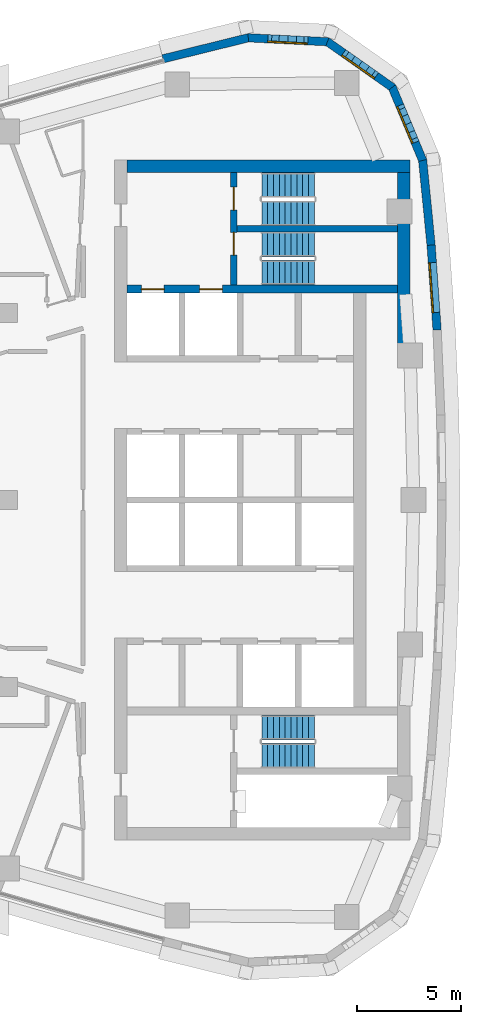
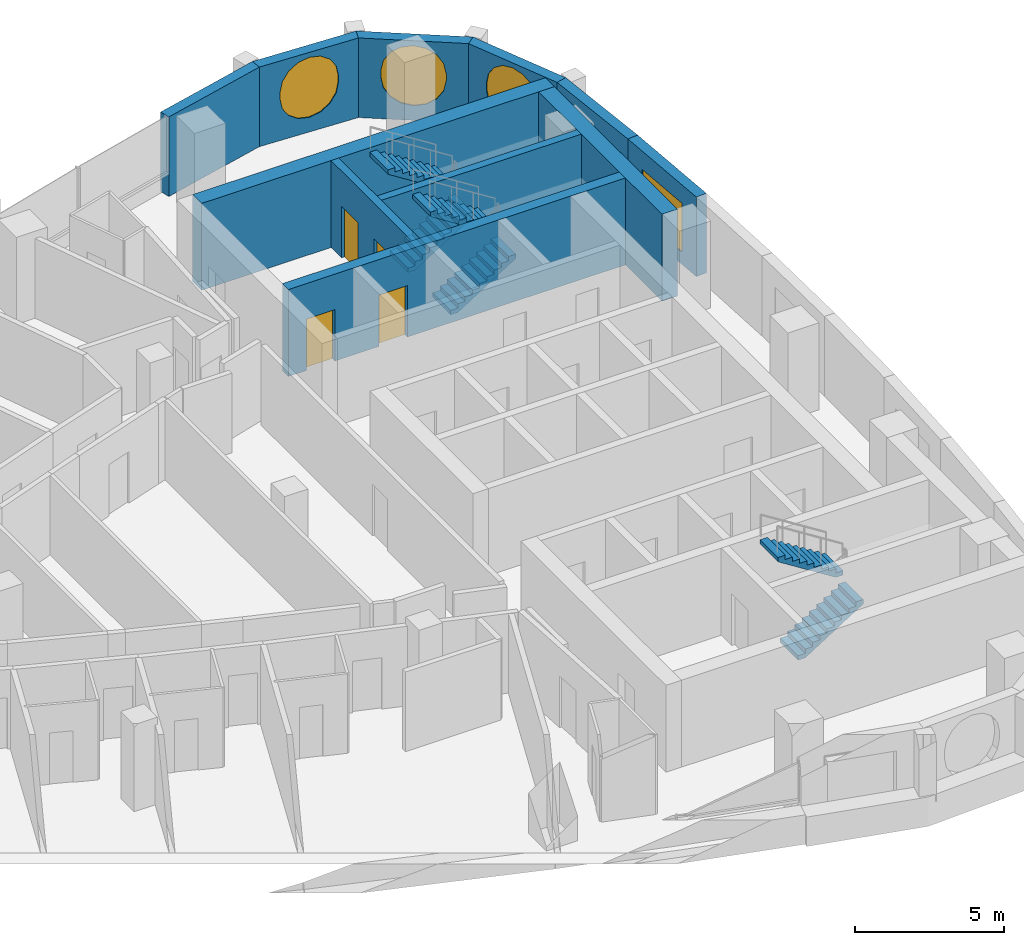
# One storey, part 12 of 16: 11 walls, 6 stair flights, 4 doors, 4 windows, 8 openings, 3 elements without a shape of their own.
"""IFC4 building model written with IfcOpenShell, lengths in metres."""

from ifc_helpers import new_model, si_unit, direction, frame, frame_2d, origin, place, context, subcontext, project, spatial, polyline, rectangle, outline, extrude, material, layer, layer_set, type_object, element, fill, aggregate, save


model = new_model("IFC4")

# Units and contexts
model_context = context("Model", 3, precision=1e-05, world=origin(), true_north=direction((0.0, 1.0)))
body_context = subcontext(model_context, "Body", "Model", "MODEL_VIEW")
ifc_project = project(units=[si_unit("LENGTHUNIT", "METRE"), si_unit("AREAUNIT", "SQUARE_METRE"), si_unit("VOLUMEUNIT", "CUBIC_METRE"), si_unit("PLANEANGLEUNIT", "RADIAN"), si_unit("MASSUNIT", "GRAM", prefix="KILO")], contexts=[model_context])

# Site, building, storey
site_placement = place(None, origin())
site = spatial("IfcSite", under=ifc_project, at=site_placement, CompositionType="ELEMENT")
building_placement = place(site_placement, origin())
building = spatial("IfcBuilding", under=site, at=building_placement, Name="Ostrand Prow Hotel Tower", CompositionType="ELEMENT")
storey_placement = place(building_placement, frame((0.0, 0.0, 245.64990234375)))
storey = spatial("IfcBuildingStorey", under=building, at=storey_placement, Name="L62", CompositionType="ELEMENT", Elevation=245.64990234375)

# Wall, openings, doors
ifc_material_1 = material(Name="Concrete C50/60", Category="concrete")
ifc_layer_1 = layer(ifc_material_1, 0.300048828125)
ifc_layer_set_1 = layer_set([ifc_layer_1], Name="Concrete C50/60")
wall_type_1 = type_object("IfcWallType", Name="Core wall 300 C50/60", PredefinedType="SHEAR", material=ifc_layer_set_1)
wall_1_placement = place(storey_placement, frame((55.85009765625, 10.35009765625, 0.0), z_axis=(0.0, 0.0, 1.0), x_axis=(0.0, 1.0, 0.0)))
wall_1 = element("IfcWall", 1, at=wall_1_placement, inside=storey, type_object=wall_type_1, Name="Core wall PW-VN", PredefinedType="SHEAR", context=body_context, shape_type="SweptSolid", body=[
    extrude(rectangle(XDim=5.39990234375, YDim=0.300048828125, at=frame_2d((2.699951171875, 0.0))), origin(), (0.0, 0.0, 1.0), 3.550048828125),
])
opening_1_placement = place(wall_1_placement, frame((1.429931640625, 0.0, 0.0)))
opening_1 = element("IfcOpeningElement", 2, at=opening_1_placement, cuts=wall_1, Name="Opening FD1", PredefinedType="OPENING", context=body_context, shape_type="SweptSolid", body=[
    extrude(rectangle(XDim=1.10009765625, YDim=2.10009765625, at=frame_2d((0.550048828125, 1.050048828125))), frame((0.0, 0.159912109375, 0.0), z_axis=(0.0, -1.0, 0.0), x_axis=(1.0, 0.0, 0.0)), (0.0, 0.0, 1.0), 0.320068359375),
])
opening_2_placement = place(wall_1_placement, frame((3.60009765625, 0.0, 0.0)))
opening_2 = element("IfcOpeningElement", 3, at=opening_2_placement, cuts=wall_1, Name="Opening FD1", PredefinedType="OPENING", context=body_context, shape_type="SweptSolid", body=[
    extrude(rectangle(XDim=1.10009765625, YDim=2.10009765625, at=frame_2d((0.550048828125, 1.050048828125))), frame((0.0, 0.159912109375, 0.0), z_axis=(0.0, -1.0, 0.0), x_axis=(1.0, 0.0, 0.0)), (0.0, 0.0, 1.0), 0.320068359375),
])
ifc_material_2 = material(Name="Steel fire door", Category="steel")
door_type_1 = type_object("IfcDoorType", Name="Fire door 1100 EI120", OperationType="SINGLE_SWING_RIGHT", PredefinedType="DOOR", material=ifc_material_2)
door_1_placement = place(opening_1_placement, origin())
door_1 = element("IfcDoor", 4, at=door_1_placement, inside=storey, type_object=door_type_1, Name="FIRE DOOR", OperationType="SINGLE_SWING_RIGHT", OverallHeight=2.10009765625, OverallWidth=1.10009765625, PredefinedType="DOOR", context=body_context, shape_type="SweptSolid", body=[
    extrude(rectangle(XDim=1.10009765625, YDim=2.10009765625, at=frame_2d((0.550048828125, 1.050048828125))), frame((0.0, 0.02490234375, 0.0), z_axis=(0.0, -1.0, 0.0), x_axis=(1.0, 0.0, 0.0)), (0.0, 0.0, 1.0), 0.050048828125),
])
fill(opening_1, door_1)
door_2_placement = place(opening_2_placement, origin())
door_2 = element("IfcDoor", 5, at=door_2_placement, inside=storey, type_object=door_type_1, Name="FIRE DOOR", OperationType="SINGLE_SWING_RIGHT", OverallHeight=2.10009765625, OverallWidth=1.10009765625, PredefinedType="DOOR", context=body_context, shape_type="SweptSolid", body=[
    extrude(rectangle(XDim=1.10009765625, YDim=2.10009765625, at=frame_2d((0.550048828125, 1.050048828125))), frame((0.0, 0.02490234375, 0.0), z_axis=(0.0, -1.0, 0.0), x_axis=(1.0, 0.0, 0.0)), (0.0, 0.0, 1.0), 0.050048828125),
])
fill(opening_2, door_2)

# Wall
wall_2_placement = place(storey_placement, frame((56.0, 13.050048828125, 0.0), z_axis=(0.0, 0.0, 1.0), x_axis=(1.0, 0.0, 0.0)))
element("IfcWall", 6, at=wall_2_placement, inside=storey, type_object=wall_type_1, Name="Core wall PW-ST13", PredefinedType="SHEAR", context=body_context, shape_type="SweptSolid", body=[
    extrude(rectangle(XDim=7.719970703125, YDim=0.300048828125, at=frame_2d((3.85986328125, 0.0))), origin(), (0.0, 0.0, 1.0), 3.550048828125),
])

# Wall, openings, doors
ifc_material_3 = material(Name="Concrete C50/60", Category="concrete")
ifc_layer_2 = layer(ifc_material_3, 0.39990234375)
ifc_layer_set_2 = layer_set([ifc_layer_2], Name="Concrete C50/60")
wall_type_2 = type_object("IfcWallType", Name="Core wall 400 C50/60", PredefinedType="SHEAR", material=ifc_layer_set_2)
wall_3_placement = place(storey_placement, frame((50.699951171875, 10.14990234375, 0.0), z_axis=(0.0, 0.0, 1.0), x_axis=(1.0, 0.0, 0.0)))
wall_3 = element("IfcWall", 7, at=wall_3_placement, inside=storey, type_object=wall_type_2, Name="Core wall PW-BN", PredefinedType="SHEAR", context=body_context, shape_type="SweptSolid", body=[
    extrude(rectangle(XDim=13.02001953125, YDim=0.39990234375, at=frame_2d((6.510009765625, 0.0))), origin(), (0.0, 0.0, 1.0), 3.550048828125),
])
opening_3_placement = place(wall_3_placement, frame((0.699951171875, 0.0, 0.0)))
opening_3 = element("IfcOpeningElement", 8, at=opening_3_placement, cuts=wall_3, Name="Opening LD", PredefinedType="OPENING", context=body_context, shape_type="SweptSolid", body=[
    extrude(rectangle(XDim=1.10009765625, YDim=2.10009765625, at=frame_2d((0.550048828125, 1.050048828125))), frame((0.0, 0.2099609375, 0.0), z_axis=(0.0, -1.0, 0.0), x_axis=(1.0, 0.0, 0.0)), (0.0, 0.0, 1.0), 0.419921875),
])
opening_4_placement = place(wall_3_placement, frame((3.5, 0.0, 0.0)))
opening_4 = element("IfcOpeningElement", 9, at=opening_4_placement, cuts=wall_3, Name="Opening LD", PredefinedType="OPENING", context=body_context, shape_type="SweptSolid", body=[
    extrude(rectangle(XDim=1.10009765625, YDim=2.10009765625, at=frame_2d((0.550048828125, 1.050048828125))), frame((0.0, 0.2099609375, 0.0), z_axis=(0.0, -1.0, 0.0), x_axis=(1.0, 0.0, 0.0)), (0.0, 0.0, 1.0), 0.419921875),
])
ifc_material_4 = material(Name="Stainless steel door", Category="steel")
door_type_2 = type_object("IfcDoorType", Name="Lift landing door 1100", OperationType="DOUBLE_DOOR_SLIDING", PredefinedType="DOOR", material=ifc_material_4)
door_3_placement = place(opening_3_placement, origin())
door_3 = element("IfcDoor", 10, at=door_3_placement, inside=storey, type_object=door_type_2, Name="LIFT LANDING DOOR", OperationType="DOUBLE_DOOR_SLIDING", OverallHeight=2.10009765625, OverallWidth=1.10009765625, PredefinedType="DOOR", context=body_context, shape_type="SweptSolid", body=[
    extrude(rectangle(XDim=1.10009765625, YDim=2.10009765625, at=frame_2d((0.550048828125, 1.050048828125))), frame((0.0, 0.02490234375, 0.0), z_axis=(0.0, -1.0, 0.0), x_axis=(1.0, 0.0, 0.0)), (0.0, 0.0, 1.0), 0.050048828125),
])
fill(opening_3, door_3)
door_4_placement = place(opening_4_placement, origin())
door_4 = element("IfcDoor", 11, at=door_4_placement, inside=storey, type_object=door_type_2, Name="LIFT LANDING DOOR", OperationType="DOUBLE_DOOR_SLIDING", OverallHeight=2.10009765625, OverallWidth=1.10009765625, PredefinedType="DOOR", context=body_context, shape_type="SweptSolid", body=[
    extrude(rectangle(XDim=1.10009765625, YDim=2.10009765625, at=frame_2d((0.550048828125, 1.050048828125))), frame((0.0, 0.02490234375, 0.0), z_axis=(0.0, -1.0, 0.0), x_axis=(1.0, 0.0, 0.0)), (0.0, 0.0, 1.0), 0.050048828125),
])
fill(opening_4, door_4)

# Walls
ifc_material_5 = material(Name="Concrete C50/60", Category="concrete")
ifc_layer_3 = layer(ifc_material_5, 0.60009765625)
ifc_layer_set_3 = layer_set([ifc_layer_3], Name="Concrete C50/60")
wall_type_3 = type_object("IfcWallType", Name="Core wall 600 C50/60", PredefinedType="SHEAR", material=ifc_layer_set_3)
wall_4_placement = place(storey_placement, frame((50.699951171875, 16.050048828125, 0.0), z_axis=(0.0, 0.0, 1.0), x_axis=(1.0, 0.0, 0.0)))
element("IfcWall", 12, at=wall_4_placement, inside=storey, type_object=wall_type_3, Name="Core wall CW-N", PredefinedType="SHEAR", context=body_context, shape_type="SweptSolid", body=[
    extrude(rectangle(XDim=13.6201171875, YDim=0.60009765625, at=frame_2d((6.81005859375, 0.0))), origin(), (0.0, 0.0, 1.0), 3.550048828125),
])
wall_5_placement = place(storey_placement, frame((64.02001953125, 7.502197265625, 0.0), z_axis=(0.0, 0.0, 1.0), x_axis=(0.0, 1.0, 0.0)))
element("IfcWall", 13, at=wall_5_placement, inside=storey, type_object=wall_type_3, Name="Core wall CW-E-N", PredefinedType="SHEAR", context=body_context, shape_type="SweptSolid", body=[
    extrude(rectangle(XDim=8.247802734375, YDim=0.60009765625, at=frame_2d((4.1240234375, 0.0))), origin(), (0.0, 0.0, 1.0), 3.550048828125),
])

# Wall, opening, window
ifc_material_6 = material(Name="Precast concrete C40/50", Category="concrete")
ifc_layer_4 = layer(ifc_material_6, 0.39990234375)
ifc_layer_set_4 = layer_set([ifc_layer_4], Name="Precast concrete C40/50")
wall_type_4 = type_object("IfcWallType", Name="Stone-faced precast wall 400 mm", PredefinedType="NOTDEFINED", material=ifc_layer_set_4)
wall_6_placement = place(storey_placement, frame((65.630615234375, 8.181640625, 0.0), z_axis=(0.0, 0.0, 1.0), x_axis=(-0.070623905352, 0.997503014528, 0.0)))
wall_6 = element("IfcWall", 14, at=wall_6_placement, inside=storey, type_object=wall_type_4, Name="Stone-faced wall back 11", PredefinedType="NOTDEFINED", context=body_context, shape_type="SweptSolid", body=[
    extrude(outline(polyline([(-0.002685546875, -0.199951171875), (4.095703125, -0.199951171875), (4.09033203125, 0.199951171875), (0.002685546875, 0.199951171875), (-0.002685546875, -0.199951171875)])), origin(), (0.0, 0.0, 1.0), 3.25),
])
opening_5_placement = place(wall_6_placement, frame((0.846435546875, 0.0, 0.5)))
opening_5 = element("IfcOpeningElement", 15, at=opening_5_placement, cuts=wall_6, Name="Opening WA1", PredefinedType="OPENING", context=body_context, shape_type="SweptSolid", body=[
    extrude(rectangle(XDim=2.39990234375, YDim=2.0, at=frame_2d((1.199951171875, 1.0))), frame((0.0, 0.2099609375, 0.0), z_axis=(0.0, -1.0, 0.0), x_axis=(1.0, 0.0, 0.0)), (0.0, 0.0, 1.0), 0.419921875),
])
ifc_material_7 = material(Name="Insulated glass in bronze frame", Category="glass")
window_type_1 = type_object("IfcWindowType", Name="Amenity picture window 2400x2000", PartitioningType="SINGLE_PANEL", PredefinedType="WINDOW", material=ifc_material_7)
window_1_placement = place(opening_5_placement, origin())
window_1 = element("IfcWindow", 16, at=window_1_placement, inside=storey, type_object=window_type_1, Name="Window back 11.1", OverallHeight=2.0, OverallWidth=2.39990234375, PartitioningType="SINGLE_PANEL", PredefinedType="WINDOW", context=body_context, shape_type="SweptSolid", body=[
    extrude(rectangle(XDim=2.39990234375, YDim=2.0, at=frame_2d((1.199951171875, 1.0))), frame((0.0, 0.169921875, 0.0), z_axis=(0.0, -1.0, 0.0), x_axis=(1.0, 0.0, 0.0)), (0.0, 0.0, 1.0), 0.06005859375),
])
fill(opening_5, window_1)

# Wall
wall_7_placement = place(storey_placement, frame((65.341552734375, 12.264404296875, 0.0), z_axis=(0.0, 0.0, 1.0), x_axis=(-0.098718218066, 0.995115427185, 0.0)))
element("IfcWall", 17, at=wall_7_placement, inside=storey, type_object=wall_type_4, Name="Stone-faced wall back 12", PredefinedType="NOTDEFINED", context=body_context, shape_type="SweptSolid", body=[
    extrude(outline(polyline([(-0.002685546875, -0.199951171875), (4.122802734375, -0.199951171875), (4.063232421875, 0.199951171875), (0.002685546875, 0.199951171875), (-0.002685546875, -0.199951171875)])), origin(), (0.0, 0.0, 1.0), 3.25),
])

# Wall, opening, window
wall_8_placement = place(storey_placement, frame((64.9375, 16.33740234375, 0.0), z_axis=(0.0, 0.0, 1.0), x_axis=(-0.3844335483, 0.923152667191, 0.0)))
wall_8 = element("IfcWall", 18, at=wall_8_placement, inside=storey, type_object=wall_type_4, Name="Stone-faced wall back 13", PredefinedType="NOTDEFINED", context=body_context, shape_type="SweptSolid", body=[
    extrude(outline(polyline([(-0.02978515625, -0.199951171875), (3.871337890625, -0.199951171875), (3.755615234375, 0.199951171875), (0.02978515625, 0.199951171875), (-0.02978515625, -0.199951171875)])), origin(), (0.0, 0.0, 1.0), 3.25),
])
opening_6_placement = place(wall_8_placement, frame((0.806884765625, 0.0, 0.60009765625)))
opening_6 = element("IfcOpeningElement", 19, at=opening_6_placement, cuts=wall_8, Name="Opening WP2", PredefinedType="OPENING", context=body_context, shape_type="SweptSolid", body=[
    extrude(outline(polyline([(0.0, 1.35009765625), (0.083740234375, 1.77099609375), (0.322265625, 2.127685546875), (0.678955078125, 2.3662109375), (1.10009765625, 2.449951171875), (1.52099609375, 2.3662109375), (1.877685546875, 2.127685546875), (2.1162109375, 1.77099609375), (2.199951171875, 1.35009765625), (2.199951171875, 1.10009765625), (2.1162109375, 0.678955078125), (1.877685546875, 0.322265625), (1.52099609375, 0.083740234375), (1.10009765625, 0.0), (0.678955078125, 0.083740234375), (0.322265625, 0.322265625), (0.083740234375, 0.678955078125), (0.0, 1.099853515625), (0.0, 1.35009765625)])), frame((0.0, 0.2099609375, 0.0), z_axis=(0.0, -1.0, 0.0), x_axis=(1.0, 0.0, 0.0)), (0.0, 0.0, 1.0), 0.419921875),
])
ifc_material_8 = material(Name="Insulated glass in bronze frame", Category="glass")
window_type_2 = type_object("IfcWindowType", Name="Round-ended prow lounge window 2200x2450", PartitioningType="SINGLE_PANEL", PredefinedType="WINDOW", material=ifc_material_8)
window_2_placement = place(opening_6_placement, origin())
window_2 = element("IfcWindow", 20, at=window_2_placement, inside=storey, type_object=window_type_2, Name="Window back 13.1", OverallHeight=2.449951171875, OverallWidth=2.199951171875, PartitioningType="SINGLE_PANEL", PredefinedType="WINDOW", context=body_context, shape_type="SweptSolid", body=[
    extrude(outline(polyline([(0.0, 1.35009765625), (0.083740234375, 1.77099609375), (0.322265625, 2.127685546875), (0.678955078125, 2.3662109375), (1.10009765625, 2.449951171875), (1.52099609375, 2.3662109375), (1.877685546875, 2.127685546875), (2.1162109375, 1.77099609375), (2.199951171875, 1.35009765625), (2.199951171875, 1.10009765625), (2.1162109375, 0.678955078125), (1.877685546875, 0.322265625), (1.52099609375, 0.083740234375), (1.10009765625, 0.0), (0.678955078125, 0.083740234375), (0.322265625, 0.322265625), (0.083740234375, 0.678955078125), (0.0, 1.099853515625), (0.0, 1.35009765625)])), frame((0.0, 0.169921875, 0.0), z_axis=(0.0, -1.0, 0.0), x_axis=(1.0, 0.0, 0.0)), (0.0, 0.0, 1.0), 0.06005859375),
])
fill(opening_6, window_2)

wall_9_placement = place(storey_placement, frame((63.471435546875, 19.85791015625, 0.0), z_axis=(0.0, 0.0, 1.0), x_axis=(-0.817942545532, 0.575299915009, 0.0)))
wall_9 = element("IfcWall", 21, at=wall_9_placement, inside=storey, type_object=wall_type_4, Name="Stone-faced wall back 14", PredefinedType="NOTDEFINED", context=body_context, shape_type="SweptSolid", body=[
    extrude(outline(polyline([(-0.057861328125, -0.199951171875), (3.871337890625, -0.199951171875), (3.755615234375, 0.199951171875), (0.057861328125, 0.199951171875), (-0.057861328125, -0.199951171875)])), origin(), (0.0, 0.0, 1.0), 3.25),
])
opening_7_placement = place(wall_9_placement, frame((0.806884765625, 0.0, 0.60009765625)))
opening_7 = element("IfcOpeningElement", 22, at=opening_7_placement, cuts=wall_9, Name="Opening WP2", PredefinedType="OPENING", context=body_context, shape_type="SweptSolid", body=[
    extrude(outline(polyline([(0.0, 1.35009765625), (0.083740234375, 1.77099609375), (0.322265625, 2.127685546875), (0.678955078125, 2.3662109375), (1.10009765625, 2.449951171875), (1.52099609375, 2.3662109375), (1.877685546875, 2.127685546875), (2.1162109375, 1.77099609375), (2.199951171875, 1.35009765625), (2.199951171875, 1.10009765625), (2.1162109375, 0.678955078125), (1.877685546875, 0.322265625), (1.52099609375, 0.083740234375), (1.10009765625, 0.0), (0.678955078125, 0.083740234375), (0.322265625, 0.322265625), (0.083740234375, 0.678955078125), (0.0, 1.099853515625), (0.0, 1.35009765625)])), frame((0.0, 0.2099609375, 0.0), z_axis=(0.0, -1.0, 0.0), x_axis=(1.0, 0.0, 0.0)), (0.0, 0.0, 1.0), 0.419921875),
])
window_3_placement = place(opening_7_placement, origin())
window_3 = element("IfcWindow", 23, at=window_3_placement, inside=storey, type_object=window_type_2, Name="Window back 14.1", OverallHeight=2.449951171875, OverallWidth=2.199951171875, PartitioningType="SINGLE_PANEL", PredefinedType="WINDOW", context=body_context, shape_type="SweptSolid", body=[
    extrude(outline(polyline([(0.0, 1.35009765625), (0.083740234375, 1.77099609375), (0.322265625, 2.127685546875), (0.678955078125, 2.3662109375), (1.10009765625, 2.449951171875), (1.52099609375, 2.3662109375), (1.877685546875, 2.127685546875), (2.1162109375, 1.77099609375), (2.199951171875, 1.35009765625), (2.199951171875, 1.10009765625), (2.1162109375, 0.678955078125), (1.877685546875, 0.322265625), (1.52099609375, 0.083740234375), (1.10009765625, 0.0), (0.678955078125, 0.083740234375), (0.322265625, 0.322265625), (0.083740234375, 0.678955078125), (0.0, 1.099853515625), (0.0, 1.35009765625)])), frame((0.0, 0.169921875, 0.0), z_axis=(0.0, -1.0, 0.0), x_axis=(1.0, 0.0, 0.0)), (0.0, 0.0, 1.0), 0.06005859375),
])
fill(opening_7, window_3)

wall_10_placement = place(storey_placement, frame((60.352294921875, 22.0517578125, 0.0), z_axis=(0.0, 0.0, 1.0), x_axis=(-0.998758875872, 0.049806705046, 0.0)))
wall_10 = element("IfcWall", 24, at=wall_10_placement, inside=storey, type_object=wall_type_4, Name="Stone-faced wall back 15", PredefinedType="NOTDEFINED", context=body_context, shape_type="SweptSolid", body=[
    extrude(outline(polyline([(-0.057861328125, -0.199951171875), (3.8427734375, -0.199951171875), (3.7841796875, 0.199951171875), (0.057861328125, 0.199951171875), (-0.057861328125, -0.199951171875)])), origin(), (0.0, 0.0, 1.0), 3.25),
])
opening_8_placement = place(wall_10_placement, frame((0.806884765625, 0.0, 0.60009765625)))
opening_8 = element("IfcOpeningElement", 25, at=opening_8_placement, cuts=wall_10, Name="Opening WP2", PredefinedType="OPENING", context=body_context, shape_type="SweptSolid", body=[
    extrude(outline(polyline([(0.0, 1.35009765625), (0.083740234375, 1.77099609375), (0.322265625, 2.127685546875), (0.678955078125, 2.3662109375), (1.10009765625, 2.449951171875), (1.52099609375, 2.3662109375), (1.877685546875, 2.127685546875), (2.1162109375, 1.77099609375), (2.199951171875, 1.35009765625), (2.199951171875, 1.10009765625), (2.1162109375, 0.678955078125), (1.877685546875, 0.322265625), (1.52099609375, 0.083740234375), (1.10009765625, 0.0), (0.678955078125, 0.083740234375), (0.322265625, 0.322265625), (0.083740234375, 0.678955078125), (0.0, 1.099853515625), (0.0, 1.35009765625)])), frame((0.0, 0.2099609375, 0.0), z_axis=(0.0, -1.0, 0.0), x_axis=(1.0, 0.0, 0.0)), (0.0, 0.0, 1.0), 0.419921875),
])
window_4_placement = place(opening_8_placement, origin())
window_4 = element("IfcWindow", 26, at=window_4_placement, inside=storey, type_object=window_type_2, Name="Window back 15.1", OverallHeight=2.449951171875, OverallWidth=2.199951171875, PartitioningType="SINGLE_PANEL", PredefinedType="WINDOW", context=body_context, shape_type="SweptSolid", body=[
    extrude(outline(polyline([(0.0, 1.35009765625), (0.083740234375, 1.77099609375), (0.322265625, 2.127685546875), (0.678955078125, 2.3662109375), (1.10009765625, 2.449951171875), (1.52099609375, 2.3662109375), (1.877685546875, 2.127685546875), (2.1162109375, 1.77099609375), (2.199951171875, 1.35009765625), (2.199951171875, 1.10009765625), (2.1162109375, 0.678955078125), (1.877685546875, 0.322265625), (1.52099609375, 0.083740234375), (1.10009765625, 0.0), (0.678955078125, 0.083740234375), (0.322265625, 0.322265625), (0.083740234375, 0.678955078125), (0.0, 1.099853515625), (0.0, 1.35009765625)])), frame((0.0, 0.169921875, 0.0), z_axis=(0.0, -1.0, 0.0), x_axis=(1.0, 0.0, 0.0)), (0.0, 0.0, 1.0), 0.06005859375),
])
fill(opening_8, window_4)

# Wall
wall_11_placement = place(storey_placement, frame((56.54345703125, 22.24169921875, 0.0), z_axis=(0.0, 0.0, 1.0), x_axis=(-0.970902342456, -0.23947576373, 0.0)))
element("IfcWall", 27, at=wall_11_placement, inside=storey, type_object=wall_type_4, Name="Stone-faced wall back 16", PredefinedType="NOTDEFINED", context=body_context, shape_type="SweptSolid", body=[
    extrude(outline(polyline([(-0.029296875, -0.199951171875), (4.225830078125, -0.199951171875), (4.225830078125, 0.199951171875), (0.029296875, 0.199951171875), (-0.029296875, -0.199951171875)])), origin(), (0.0, 0.0, 1.0), 3.25),
])

# Stair, stair flights
ifc_material_9 = material(Name="Concrete C40/50", Category="concrete")
stair_type = type_object("IfcStairType", Name="Exit stair 1200 upper zone", PredefinedType="HALF_TURN_STAIR", material=ifc_material_9)
stair_1_placement = place(storey_placement, origin())
stair_1 = element("IfcStair", 28, at=stair_1_placement, inside=storey, type_object=stair_type, Name="L62 ST1C", PredefinedType="HALF_TURN_STAIR")
ifc_material_10 = material(Name="Concrete C40/50", Category="concrete")
stair_flight_type = type_object("IfcStairFlightType", Name="Stair flight 1200 concrete", PredefinedType="STRAIGHT", material=ifc_material_10)
stair_flight_1_placement = place(storey_placement, frame((57.199951171875, 10.949951171875, 0.0), z_axis=(0.0, 0.0, 1.0), x_axis=(1.0, 0.0, 0.0)))
stair_flight_1 = element("IfcStairFlight", 29, at=stair_flight_1_placement, type_object=stair_flight_type, Name="ST1C flight 1", NumberOfRisers=10, NumberOfTreads=9, PredefinedType="STRAIGHT", RiserHeight=0.1775, TreadLength=0.28, context=body_context, shape_type="SweptSolid", body=[
    extrude(outline(polyline([(0.0, 0.0), (0.0, 0.177490234375), (0.280029296875, 0.177490234375), (0.280029296875, 0.35498046875), (0.56005859375, 0.35498046875), (0.56005859375, 0.532470703125), (0.840087890625, 0.532470703125), (0.840087890625, 0.7099609375), (1.1201171875, 0.7099609375), (1.1201171875, 0.887451171875), (1.39990234375, 0.887451171875), (1.39990234375, 1.06494140625), (1.679931640625, 1.06494140625), (1.679931640625, 1.242431640625), (1.9599609375, 1.242431640625), (1.9599609375, 1.419921875), (2.239990234375, 1.419921875), (2.239990234375, 1.597412109375), (2.52001953125, 1.597412109375), (2.52001953125, 1.77490234375), (2.52001953125, 1.419921875), (0.280029296875, 0.0), (0.0, 0.0)])), frame((0.0, 0.60009765625, 0.0), z_axis=(0.0, -1.0, 0.0), x_axis=(1.0, 0.0, 0.0)), (0.0, 0.0, 1.0), 1.199951171875),
])
stair_flight_2_placement = place(storey_placement, frame((59.719970703125, 12.300048828125, 1.775146484375), z_axis=(0.0, 0.0, 1.0), x_axis=(-1.0, 0.0, 0.0)))
stair_flight_2 = element("IfcStairFlight", 30, at=stair_flight_2_placement, type_object=stair_flight_type, Name="ST1C flight 2", NumberOfRisers=10, NumberOfTreads=9, PredefinedType="STRAIGHT", RiserHeight=0.1775, TreadLength=0.28, context=body_context, shape_type="SweptSolid", body=[
    extrude(outline(polyline([(0.0, 0.0), (0.0, 0.177490234375), (0.280029296875, 0.177490234375), (0.280029296875, 0.35498046875), (0.56005859375, 0.35498046875), (0.56005859375, 0.532470703125), (0.840087890625, 0.532470703125), (0.840087890625, 0.7099609375), (1.1201171875, 0.7099609375), (1.1201171875, 0.887451171875), (1.39990234375, 0.887451171875), (1.39990234375, 1.06494140625), (1.679931640625, 1.06494140625), (1.679931640625, 1.242431640625), (1.9599609375, 1.242431640625), (1.9599609375, 1.419921875), (2.239990234375, 1.419921875), (2.239990234375, 1.597412109375), (2.52001953125, 1.597412109375), (2.52001953125, 1.77490234375), (2.52001953125, 1.419921875), (0.280029296875, 0.0), (0.0, 0.0)])), frame((0.0, 0.60009765625, 0.0), z_axis=(0.0, -1.0, 0.0), x_axis=(1.0, 0.0, 0.0)), (0.0, 0.0, 1.0), 1.199951171875),
])
aggregate(stair_1, [stair_flight_1, stair_flight_2])

stair_2_placement = place(storey_placement, origin())
stair_2 = element("IfcStair", 31, at=stair_2_placement, inside=storey, type_object=stair_type, Name="L62 ST3C", PredefinedType="HALF_TURN_STAIR")
stair_flight_3_placement = place(storey_placement, frame((57.199951171875, 13.800048828125, 0.0), z_axis=(0.0, 0.0, 1.0), x_axis=(1.0, 0.0, 0.0)))
stair_flight_3 = element("IfcStairFlight", 32, at=stair_flight_3_placement, type_object=stair_flight_type, Name="ST3C flight 1", NumberOfRisers=10, NumberOfTreads=9, PredefinedType="STRAIGHT", RiserHeight=0.1775, TreadLength=0.28, context=body_context, shape_type="SweptSolid", body=[
    extrude(outline(polyline([(0.0, 0.0), (0.0, 0.177490234375), (0.280029296875, 0.177490234375), (0.280029296875, 0.35498046875), (0.56005859375, 0.35498046875), (0.56005859375, 0.532470703125), (0.840087890625, 0.532470703125), (0.840087890625, 0.7099609375), (1.1201171875, 0.7099609375), (1.1201171875, 0.887451171875), (1.39990234375, 0.887451171875), (1.39990234375, 1.06494140625), (1.679931640625, 1.06494140625), (1.679931640625, 1.242431640625), (1.9599609375, 1.242431640625), (1.9599609375, 1.419921875), (2.239990234375, 1.419921875), (2.239990234375, 1.597412109375), (2.52001953125, 1.597412109375), (2.52001953125, 1.77490234375), (2.52001953125, 1.419921875), (0.280029296875, 0.0), (0.0, 0.0)])), frame((0.0, 0.60009765625, 0.0), z_axis=(0.0, -1.0, 0.0), x_axis=(1.0, 0.0, 0.0)), (0.0, 0.0, 1.0), 1.199951171875),
])
stair_flight_4_placement = place(storey_placement, frame((59.719970703125, 15.14990234375, 1.775146484375), z_axis=(0.0, 0.0, 1.0), x_axis=(-1.0, 0.0, 0.0)))
stair_flight_4 = element("IfcStairFlight", 33, at=stair_flight_4_placement, type_object=stair_flight_type, Name="ST3C flight 2", NumberOfRisers=10, NumberOfTreads=9, PredefinedType="STRAIGHT", RiserHeight=0.1775, TreadLength=0.28, context=body_context, shape_type="SweptSolid", body=[
    extrude(outline(polyline([(0.0, 0.0), (0.0, 0.177490234375), (0.280029296875, 0.177490234375), (0.280029296875, 0.35498046875), (0.56005859375, 0.35498046875), (0.56005859375, 0.532470703125), (0.840087890625, 0.532470703125), (0.840087890625, 0.7099609375), (1.1201171875, 0.7099609375), (1.1201171875, 0.887451171875), (1.39990234375, 0.887451171875), (1.39990234375, 1.06494140625), (1.679931640625, 1.06494140625), (1.679931640625, 1.242431640625), (1.9599609375, 1.242431640625), (1.9599609375, 1.419921875), (2.239990234375, 1.419921875), (2.239990234375, 1.597412109375), (2.52001953125, 1.597412109375), (2.52001953125, 1.77490234375), (2.52001953125, 1.419921875), (0.280029296875, 0.0), (0.0, 0.0)])), frame((0.0, 0.60009765625, 0.0), z_axis=(0.0, -1.0, 0.0), x_axis=(1.0, 0.0, 0.0)), (0.0, 0.0, 1.0), 1.199951171875),
])
aggregate(stair_2, [stair_flight_3, stair_flight_4])

stair_3_placement = place(storey_placement, origin())
stair_3 = element("IfcStair", 34, at=stair_3_placement, inside=storey, type_object=stair_type, Name="L62 ST2C", PredefinedType="HALF_TURN_STAIR")
stair_flight_5_placement = place(storey_placement, frame((57.199951171875, -12.300048828125, 0.0), z_axis=(0.0, 0.0, 1.0), x_axis=(1.0, 0.0, 0.0)))
stair_flight_5 = element("IfcStairFlight", 35, at=stair_flight_5_placement, type_object=stair_flight_type, Name="ST2C flight 1", NumberOfRisers=10, NumberOfTreads=9, PredefinedType="STRAIGHT", RiserHeight=0.1775, TreadLength=0.28, context=body_context, shape_type="SweptSolid", body=[
    extrude(outline(polyline([(0.0, 0.0), (0.0, 0.177490234375), (0.280029296875, 0.177490234375), (0.280029296875, 0.35498046875), (0.56005859375, 0.35498046875), (0.56005859375, 0.532470703125), (0.840087890625, 0.532470703125), (0.840087890625, 0.7099609375), (1.1201171875, 0.7099609375), (1.1201171875, 0.887451171875), (1.39990234375, 0.887451171875), (1.39990234375, 1.06494140625), (1.679931640625, 1.06494140625), (1.679931640625, 1.242431640625), (1.9599609375, 1.242431640625), (1.9599609375, 1.419921875), (2.239990234375, 1.419921875), (2.239990234375, 1.597412109375), (2.52001953125, 1.597412109375), (2.52001953125, 1.77490234375), (2.52001953125, 1.419921875), (0.280029296875, 0.0), (0.0, 0.0)])), frame((0.0, 0.60009765625, 0.0), z_axis=(0.0, -1.0, 0.0), x_axis=(1.0, 0.0, 0.0)), (0.0, 0.0, 1.0), 1.199951171875),
])
stair_flight_6_placement = place(storey_placement, frame((59.719970703125, -10.949951171875, 1.775146484375), z_axis=(0.0, 0.0, 1.0), x_axis=(-1.0, 0.0, 0.0)))
stair_flight_6 = element("IfcStairFlight", 36, at=stair_flight_6_placement, type_object=stair_flight_type, Name="ST2C flight 2", NumberOfRisers=10, NumberOfTreads=9, PredefinedType="STRAIGHT", RiserHeight=0.1775, TreadLength=0.28, context=body_context, shape_type="SweptSolid", body=[
    extrude(outline(polyline([(0.0, 0.0), (0.0, 0.177490234375), (0.280029296875, 0.177490234375), (0.280029296875, 0.35498046875), (0.56005859375, 0.35498046875), (0.56005859375, 0.532470703125), (0.840087890625, 0.532470703125), (0.840087890625, 0.7099609375), (1.1201171875, 0.7099609375), (1.1201171875, 0.887451171875), (1.39990234375, 0.887451171875), (1.39990234375, 1.06494140625), (1.679931640625, 1.06494140625), (1.679931640625, 1.242431640625), (1.9599609375, 1.242431640625), (1.9599609375, 1.419921875), (2.239990234375, 1.419921875), (2.239990234375, 1.597412109375), (2.52001953125, 1.597412109375), (2.52001953125, 1.77490234375), (2.52001953125, 1.419921875), (0.280029296875, 0.0), (0.0, 0.0)])), frame((0.0, 0.60009765625, 0.0), z_axis=(0.0, -1.0, 0.0), x_axis=(1.0, 0.0, 0.0)), (0.0, 0.0, 1.0), 1.199951171875),
])
aggregate(stair_3, [stair_flight_5, stair_flight_6])

save(model, "model.ifc")
